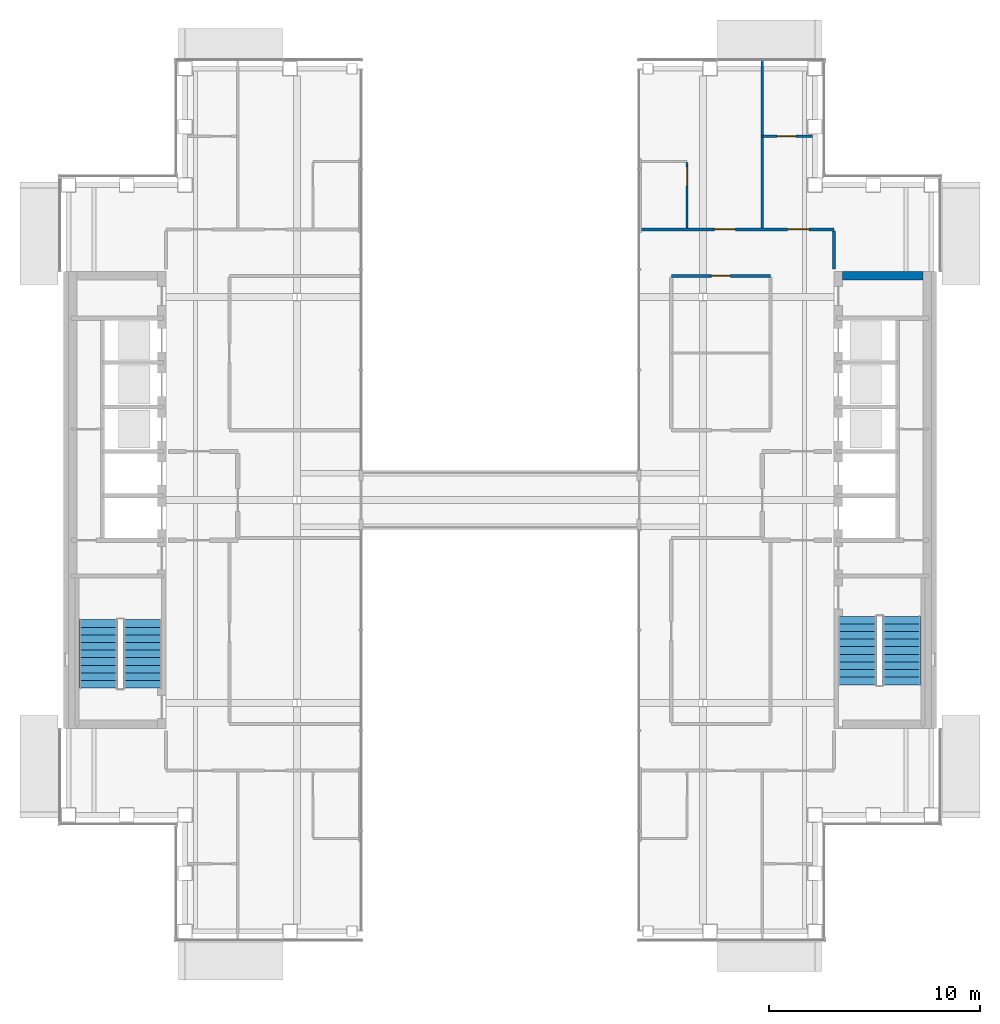
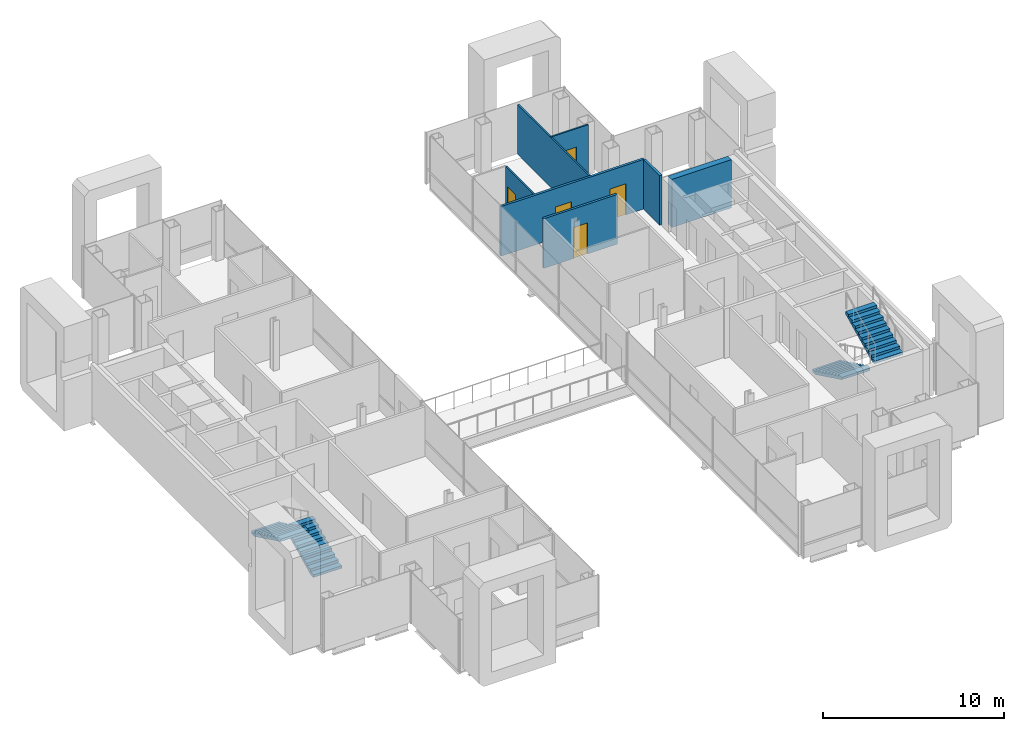
# One storey, part 13 of 17: 7 walls, 5 doors, 4 stair flights, 5 openings, 2 elements without a shape of their own.
"""IFC4 building model written with IfcOpenShell, lengths in metres."""

from ifc_helpers import new_model, si_unit, direction, frame, frame_2d, origin, place, context, subcontext, project, spatial, polyline, rectangle, outline, extrude, material, layer, layer_set, type_object, element, fill, aggregate, save


model = new_model("IFC4")

# Units and contexts
model_context = context("Model", 3, precision=1e-05, world=origin(), true_north=direction((0.0, 1.0)))
body_context = subcontext(model_context, "Body", "Model", "MODEL_VIEW")
ifc_project = project(units=[si_unit("LENGTHUNIT", "METRE"), si_unit("AREAUNIT", "SQUARE_METRE"), si_unit("VOLUMEUNIT", "CUBIC_METRE"), si_unit("PLANEANGLEUNIT", "RADIAN"), si_unit("MASSUNIT", "GRAM", prefix="KILO")], contexts=[model_context])

# Site, building, storey
site_placement = place(None, origin())
site = spatial("IfcSite", under=ifc_project, at=site_placement, CompositionType="ELEMENT")
building_placement = place(site_placement, origin())
building = spatial("IfcBuilding", under=site, at=building_placement, Name="Cobrizo Arcos Hotel Tower", CompositionType="ELEMENT")
storey_placement = place(building_placement, frame((0.0, 0.0, 226.0)))
storey = spatial("IfcBuildingStorey", under=building, at=storey_placement, Name="L59", CompositionType="ELEMENT", Elevation=226.0)

# Wall, opening, door
ifc_material_1 = material(Name="Gypsum board partition")
ifc_layer_1 = layer(ifc_material_1, 0.14990234375)
ifc_layer_set_1 = layer_set([ifc_layer_1], Name="Corridor wall EI 60 150")
wall_type_1 = type_object("IfcWallType", Name="Corridor wall EI 60 150", PredefinedType="PARTITIONING", material=ifc_layer_set_1)
wall_1_placement = place(storey_placement, frame((8.10009765625, 10.60009765625, 0.0), z_axis=(0.0, 0.0, 1.0), x_axis=(1.0, 0.0, 0.0)))
wall_1 = element("IfcWall", 1, at=wall_1_placement, inside=storey, type_object=wall_type_1, Name="Partition 035", PredefinedType="PARTITIONING", context=body_context, shape_type="SweptSolid", body=[
    extrude(rectangle(XDim=4.699951171875, YDim=0.14990234375, at=frame_2d((2.35009765625, 0.0))), origin(), (0.0, 0.0, 1.0), 3.35009765625),
])
opening_1_placement = place(wall_1_placement, frame((1.89990234375, 0.0, 0.0)))
opening_1 = element("IfcOpeningElement", 2, at=opening_1_placement, cuts=wall_1, Name="Opening ED-10", PredefinedType="OPENING", context=body_context, shape_type="SweptSolid", body=[
    extrude(rectangle(XDim=0.89990234375, YDim=2.10009765625, at=frame_2d((0.449951171875, 1.050048828125))), frame((0.0, 0.0869140625, 0.0), z_axis=(0.0, -1.0, 0.0), x_axis=(1.0, 0.0, 0.0)), (0.0, 0.0, 1.0), 0.173828125),
])
ifc_material_2 = material(Name="Timber door leaf", Category="wood")
door_type_1 = type_object("IfcDoorType", Name="En-suite door 900x2100", OperationType="SINGLE_SWING_LEFT", PredefinedType="DOOR", material=ifc_material_2)
door_1_placement = place(opening_1_placement, origin())
door_1 = element("IfcDoor", 3, at=door_1_placement, inside=storey, type_object=door_type_1, Name="Door ED-10", OperationType="SINGLE_SWING_LEFT", OverallHeight=2.10009765625, OverallWidth=0.89990234375, PredefinedType="DOOR", context=body_context, shape_type="SweptSolid", body=[
    extrude(rectangle(XDim=0.89990234375, YDim=2.10009765625, at=frame_2d((0.449951171875, 1.050048828125))), frame((0.0, 0.02490234375, 0.0), z_axis=(0.0, -1.0, 0.0), x_axis=(1.0, 0.0, 0.0)), (0.0, 0.0, 1.0), 0.050048828125),
])
fill(opening_1, door_1)

# Wall, openings, doors
wall_2_placement = place(storey_placement, frame((6.64990234375, 12.800048828125, 0.0), z_axis=(0.0, 0.0, 1.0), x_axis=(1.0, 0.0, 0.0)))
wall_2 = element("IfcWall", 4, at=wall_2_placement, inside=storey, type_object=wall_type_1, Name="Partition 037", PredefinedType="PARTITIONING", context=body_context, shape_type="SweptSolid", body=[
    extrude(rectangle(XDim=9.150146484375, YDim=0.14990234375, at=frame_2d((4.5751953125, 0.0))), origin(), (0.0, 0.0, 1.0), 3.35009765625),
])
opening_2_placement = place(wall_2_placement, frame((3.48291015625, 0.0, 0.0)))
opening_2 = element("IfcOpeningElement", 5, at=opening_2_placement, cuts=wall_2, Name="Opening GD-01", PredefinedType="OPENING", context=body_context, shape_type="SweptSolid", body=[
    extrude(rectangle(XDim=1.0, YDim=2.10009765625, at=frame_2d((0.5, 1.050048828125))), frame((0.0, 0.0869140625, 0.0), z_axis=(0.0, -1.0, 0.0), x_axis=(1.0, 0.0, 0.0)), (0.0, 0.0, 1.0), 0.173828125),
])
opening_3_placement = place(wall_2_placement, frame((6.9580078125, 0.0, 0.0)))
opening_3 = element("IfcOpeningElement", 6, at=opening_3_placement, cuts=wall_2, Name="Opening GD-08", PredefinedType="OPENING", context=body_context, shape_type="SweptSolid", body=[
    extrude(rectangle(XDim=1.0, YDim=2.10009765625, at=frame_2d((0.5, 1.050048828125))), frame((0.0, 0.0869140625, 0.0), z_axis=(0.0, -1.0, 0.0), x_axis=(1.0, 0.0, 0.0)), (0.0, 0.0, 1.0), 0.173828125),
])
door_type_2 = type_object("IfcDoorType", Name="Guest room door FD30S 1000x2100", OperationType="SINGLE_SWING_LEFT", PredefinedType="DOOR", material=ifc_material_2)
door_2_placement = place(opening_2_placement, origin())
door_2 = element("IfcDoor", 7, at=door_2_placement, inside=storey, type_object=door_type_2, Name="Door GD-01", OperationType="SINGLE_SWING_LEFT", OverallHeight=2.10009765625, OverallWidth=1.0, PredefinedType="DOOR", context=body_context, shape_type="SweptSolid", body=[
    extrude(rectangle(XDim=1.0, YDim=2.10009765625, at=frame_2d((0.5, 1.050048828125))), frame((0.0, 0.02490234375, 0.0), z_axis=(0.0, -1.0, 0.0), x_axis=(1.0, 0.0, 0.0)), (0.0, 0.0, 1.0), 0.050048828125),
])
fill(opening_2, door_2)
door_3_placement = place(opening_3_placement, origin())
door_3 = element("IfcDoor", 8, at=door_3_placement, inside=storey, type_object=door_type_2, Name="Door GD-08", OperationType="SINGLE_SWING_LEFT", OverallHeight=2.10009765625, OverallWidth=1.0, PredefinedType="DOOR", context=body_context, shape_type="SweptSolid", body=[
    extrude(rectangle(XDim=1.0, YDim=2.10009765625, at=frame_2d((0.5, 1.050048828125))), frame((0.0, 0.02490234375, 0.0), z_axis=(0.0, -1.0, 0.0), x_axis=(1.0, 0.0, 0.0)), (0.0, 0.0, 1.0), 0.050048828125),
])
fill(opening_3, door_3)

# Wall
wall_3_placement = place(storey_placement, frame((15.800048828125, 10.919921875, 0.0), z_axis=(0.0, 0.0, 1.0), x_axis=(0.0, 1.0, 0.0)))
element("IfcWall", 9, at=wall_3_placement, inside=storey, type_object=wall_type_1, Name="Partition 067", PredefinedType="PARTITIONING", context=body_context, shape_type="SweptSolid", body=[
    extrude(rectangle(XDim=1.80517578125, YDim=0.14990234375, at=frame_2d((0.902587890625, 0.0))), origin(), (0.0, 0.0, 1.0), 3.35009765625),
])

# Wall, opening, door
ifc_layer_2 = layer(ifc_material_1, 0.10009765625)
ifc_layer_set_2 = layer_set([ifc_layer_2], Name="Partition EI 30 100")
wall_type_2 = type_object("IfcWallType", Name="Partition EI 30 100", PredefinedType="PARTITIONING", material=ifc_layer_set_2)
wall_4_placement = place(storey_placement, frame((12.39990234375, 17.199951171875, 0.0), z_axis=(0.0, 0.0, 1.0), x_axis=(1.0, 0.0, 0.0)))
wall_4 = element("IfcWall", 10, at=wall_4_placement, inside=storey, type_object=wall_type_2, Name="Partition 041", PredefinedType="PARTITIONING", context=body_context, shape_type="SweptSolid", body=[
    extrude(rectangle(XDim=2.380126953125, YDim=0.10009765625, at=frame_2d((1.18994140625, 0.0))), origin(), (0.0, 0.0, 1.0), 3.35009765625),
])
opening_4_placement = place(wall_4_placement, frame((0.705078125, 0.0, 0.0)))
opening_4 = element("IfcOpeningElement", 11, at=opening_4_placement, cuts=wall_4, Name="Opening ED-08", PredefinedType="OPENING", context=body_context, shape_type="SweptSolid", body=[
    extrude(rectangle(XDim=0.89990234375, YDim=2.10009765625, at=frame_2d((0.449951171875, 1.050048828125))), frame((0.0, 0.06201171875, 0.0), z_axis=(0.0, -1.0, 0.0), x_axis=(1.0, 0.0, 0.0)), (0.0, 0.0, 1.0), 0.1240234375),
])
door_4_placement = place(opening_4_placement, origin())
door_4 = element("IfcDoor", 12, at=door_4_placement, inside=storey, type_object=door_type_1, Name="Door ED-08", OperationType="SINGLE_SWING_RIGHT", OverallHeight=2.10009765625, OverallWidth=0.89990234375, PredefinedType="DOOR", context=body_context, shape_type="SweptSolid", body=[
    extrude(rectangle(XDim=0.89990234375, YDim=2.10009765625, at=frame_2d((0.449951171875, 1.050048828125))), frame((0.0, 0.02490234375, 0.0), z_axis=(0.0, -1.0, 0.0), x_axis=(1.0, 0.0, 0.0)), (0.0, 0.0, 1.0), 0.050048828125),
])
fill(opening_4, door_4)

wall_5_placement = place(storey_placement, frame((8.85009765625, 12.875, 0.0), z_axis=(0.0, 0.0, 1.0), x_axis=(0.0, 1.0, 0.0)))
wall_5 = element("IfcWall", 13, at=wall_5_placement, inside=storey, type_object=wall_type_2, Name="Partition 060", PredefinedType="PARTITIONING", context=body_context, shape_type="SweptSolid", body=[
    extrude(rectangle(XDim=3.074951171875, YDim=0.10009765625, at=frame_2d((1.53759765625, 0.0))), origin(), (0.0, 0.0, 1.0), 3.35009765625),
])
opening_5_placement = place(wall_5_placement, frame((1.970947265625, 0.0, 0.0)))
opening_5 = element("IfcOpeningElement", 14, at=opening_5_placement, cuts=wall_5, Name="Opening ED-01", PredefinedType="OPENING", context=body_context, shape_type="SweptSolid", body=[
    extrude(rectangle(XDim=0.89990234375, YDim=2.10009765625, at=frame_2d((0.449951171875, 1.050048828125))), frame((0.0, 0.06201171875, 0.0), z_axis=(0.0, -1.0, 0.0), x_axis=(1.0, 0.0, 0.0)), (0.0, 0.0, 1.0), 0.1240234375),
])
door_5_placement = place(opening_5_placement, origin())
door_5 = element("IfcDoor", 15, at=door_5_placement, inside=storey, type_object=door_type_1, Name="Door ED-01", OperationType="SINGLE_SWING_RIGHT", OverallHeight=2.10009765625, OverallWidth=0.89990234375, PredefinedType="DOOR", context=body_context, shape_type="SweptSolid", body=[
    extrude(rectangle(XDim=0.89990234375, YDim=2.10009765625, at=frame_2d((0.449951171875, 1.050048828125))), frame((0.0, 0.02490234375, 0.0), z_axis=(0.0, -1.0, 0.0), x_axis=(1.0, 0.0, 0.0)), (0.0, 0.0, 1.0), 0.050048828125),
])
fill(opening_5, door_5)

# Walls
wall_6_placement = place(storey_placement, frame((12.39990234375, 12.875, 0.0), z_axis=(0.0, 0.0, 1.0), x_axis=(0.0, 1.0, 0.0)))
element("IfcWall", 16, at=wall_6_placement, inside=storey, type_object=wall_type_2, Name="Partition 063", PredefinedType="PARTITIONING", context=body_context, shape_type="SweptSolid", body=[
    extrude(rectangle(XDim=7.905029296875, YDim=0.10009765625, at=frame_2d((3.95263671875, 0.0))), origin(), (0.0, 0.0, 1.0), 3.35009765625),
])
ifc_material_3 = material(Name="Concrete f'c 40 MPa", Category="concrete")
ifc_layer_3 = layer(ifc_material_3, 0.39990234375)
ifc_layer_set_3 = layer_set([ifc_layer_3], Name="RC core wall 400 f'c 40")
wall_type_3 = type_object("IfcWallType", Name="RC core wall 400 f'c 40", PredefinedType="SHEAR", material=ifc_layer_set_3)
wall_7_placement = place(storey_placement, frame((16.199951171875, 10.60009765625, 0.0), z_axis=(0.0, 0.0, 1.0), x_axis=(1.0, 0.0, 0.0)))
element("IfcWall", 17, at=wall_7_placement, inside=storey, type_object=wall_type_3, Name="Core wall CW4, east core, north end, L59", PredefinedType="SHEAR", context=body_context, shape_type="SweptSolid", body=[
    extrude(rectangle(XDim=3.800048828125, YDim=0.39990234375, at=frame_2d((1.89990234375, 0.0))), origin(), (0.0, 0.0, 1.0), 3.25),
])

# Stair, stair flights
stair_type = type_object("IfcStairType", Name="Exit stair", PredefinedType="HALF_TURN_STAIR", material=ifc_material_3)
stair_1_placement = place(storey_placement, origin())
stair_1 = element("IfcStair", 18, at=stair_1_placement, inside=storey, type_object=stair_type, Name="L59 Exit stair ST-W", PredefinedType="HALF_TURN_STAIR")
stair_flight_type = type_object("IfcStairFlightType", Name="Exit stair flight", PredefinedType="STRAIGHT", material=ifc_material_3)
stair_flight_1_placement = place(storey_placement, frame((-16.89990234375, -8.89990234375, 0.0), z_axis=(0.0, 0.0, 1.0), x_axis=(0.0, 1.0, 0.0)))
stair_flight_1 = element("IfcStairFlight", 19, at=stair_flight_1_placement, type_object=stair_flight_type, Name="ST-W flight 1", NumberOfRisers=10, NumberOfTreads=9, PredefinedType="STRAIGHT", RiserHeight=0.175, TreadLength=0.36, context=body_context, shape_type="SweptSolid", body=[
    extrude(outline(polyline([(0.0, 0.0), (0.0, 0.175048828125), (0.360107421875, 0.175048828125), (0.360107421875, 0.35009765625), (0.719970703125, 0.35009765625), (0.719970703125, 0.52490234375), (1.080078125, 0.52490234375), (1.080078125, 0.699951171875), (1.43994140625, 0.699951171875), (1.43994140625, 0.875), (1.800048828125, 0.875), (1.800048828125, 1.050048828125), (2.159912109375, 1.050048828125), (2.159912109375, 1.22509765625), (2.52001953125, 1.22509765625), (2.52001953125, 1.39990234375), (2.8798828125, 1.39990234375), (2.8798828125, 1.574951171875), (3.239990234375, 1.574951171875), (3.239990234375, 1.75), (3.239990234375, 1.408203125), (0.3427734375, 0.0), (0.0, 0.0)])), frame((0.0, 0.89990234375, 0.0), z_axis=(0.0, -1.0, 0.0), x_axis=(1.0, 0.0, 0.0)), (0.0, 0.0, 1.0), 1.800048828125),
])
stair_flight_2_placement = place(storey_placement, frame((-19.0, -5.659912109375, 1.75), z_axis=(0.0, 0.0, 1.0), x_axis=(0.0, -1.0, 0.0)))
stair_flight_2 = element("IfcStairFlight", 20, at=stair_flight_2_placement, type_object=stair_flight_type, Name="ST-W flight 2", NumberOfRisers=10, NumberOfTreads=9, PredefinedType="STRAIGHT", RiserHeight=0.175, TreadLength=0.36, context=body_context, shape_type="SweptSolid", body=[
    extrude(outline(polyline([(0.0, 0.0), (0.0, 0.175048828125), (0.360107421875, 0.175048828125), (0.360107421875, 0.35009765625), (0.719970703125, 0.35009765625), (0.719970703125, 0.52490234375), (1.080078125, 0.52490234375), (1.080078125, 0.699951171875), (1.43994140625, 0.699951171875), (1.43994140625, 0.875), (1.800048828125, 0.875), (1.800048828125, 1.050048828125), (2.159912109375, 1.050048828125), (2.159912109375, 1.22509765625), (2.52001953125, 1.22509765625), (2.52001953125, 1.39990234375), (2.8798828125, 1.39990234375), (2.8798828125, 1.574951171875), (3.239990234375, 1.574951171875), (3.239990234375, 1.75), (3.239990234375, 1.408203125), (0.3427734375, 0.0), (0.0, 0.0)])), frame((0.0, 0.89990234375, 0.0), z_axis=(0.0, -1.0, 0.0), x_axis=(1.0, 0.0, 0.0)), (0.0, 0.0, 1.0), 1.800048828125),
])
aggregate(stair_1, [stair_flight_1, stair_flight_2])

stair_2_placement = place(storey_placement, origin())
stair_2 = element("IfcStair", 21, at=stair_2_placement, inside=storey, type_object=stair_type, Name="L59 Exit stair ST-E", PredefinedType="HALF_TURN_STAIR")
stair_flight_3_placement = place(storey_placement, frame((16.89990234375, -5.5, 0.0), z_axis=(0.0, 0.0, 1.0), x_axis=(0.0, -1.0, 0.0)))
stair_flight_3 = element("IfcStairFlight", 22, at=stair_flight_3_placement, type_object=stair_flight_type, Name="ST-E flight 1", NumberOfRisers=10, NumberOfTreads=9, PredefinedType="STRAIGHT", RiserHeight=0.175, TreadLength=0.36, context=body_context, shape_type="SweptSolid", body=[
    extrude(outline(polyline([(0.0, 0.0), (0.0, 0.175048828125), (0.360107421875, 0.175048828125), (0.360107421875, 0.35009765625), (0.719970703125, 0.35009765625), (0.719970703125, 0.52490234375), (1.080078125, 0.52490234375), (1.080078125, 0.699951171875), (1.43994140625, 0.699951171875), (1.43994140625, 0.875), (1.800048828125, 0.875), (1.800048828125, 1.050048828125), (2.159912109375, 1.050048828125), (2.159912109375, 1.22509765625), (2.52001953125, 1.22509765625), (2.52001953125, 1.39990234375), (2.8798828125, 1.39990234375), (2.8798828125, 1.574951171875), (3.239990234375, 1.574951171875), (3.239990234375, 1.75), (3.239990234375, 1.408203125), (0.3427734375, 0.0), (0.0, 0.0)])), frame((0.0, 0.89990234375, 0.0), z_axis=(0.0, -1.0, 0.0), x_axis=(1.0, 0.0, 0.0)), (0.0, 0.0, 1.0), 1.800048828125),
])
stair_flight_4_placement = place(storey_placement, frame((19.0, -8.739990234375, 1.75), z_axis=(0.0, 0.0, 1.0), x_axis=(0.0, 1.0, 0.0)))
stair_flight_4 = element("IfcStairFlight", 23, at=stair_flight_4_placement, type_object=stair_flight_type, Name="ST-E flight 2", NumberOfRisers=10, NumberOfTreads=9, PredefinedType="STRAIGHT", RiserHeight=0.175, TreadLength=0.36, context=body_context, shape_type="SweptSolid", body=[
    extrude(outline(polyline([(0.0, 0.0), (0.0, 0.175048828125), (0.360107421875, 0.175048828125), (0.360107421875, 0.35009765625), (0.719970703125, 0.35009765625), (0.719970703125, 0.52490234375), (1.080078125, 0.52490234375), (1.080078125, 0.699951171875), (1.43994140625, 0.699951171875), (1.43994140625, 0.875), (1.800048828125, 0.875), (1.800048828125, 1.050048828125), (2.159912109375, 1.050048828125), (2.159912109375, 1.22509765625), (2.52001953125, 1.22509765625), (2.52001953125, 1.39990234375), (2.8798828125, 1.39990234375), (2.8798828125, 1.574951171875), (3.239990234375, 1.574951171875), (3.239990234375, 1.75), (3.239990234375, 1.408203125), (0.3427734375, 0.0), (0.0, 0.0)])), frame((0.0, 0.89990234375, 0.0), z_axis=(0.0, -1.0, 0.0), x_axis=(1.0, 0.0, 0.0)), (0.0, 0.0, 1.0), 1.800048828125),
])
aggregate(stair_2, [stair_flight_3, stair_flight_4])

save(model, "model.ifc")
